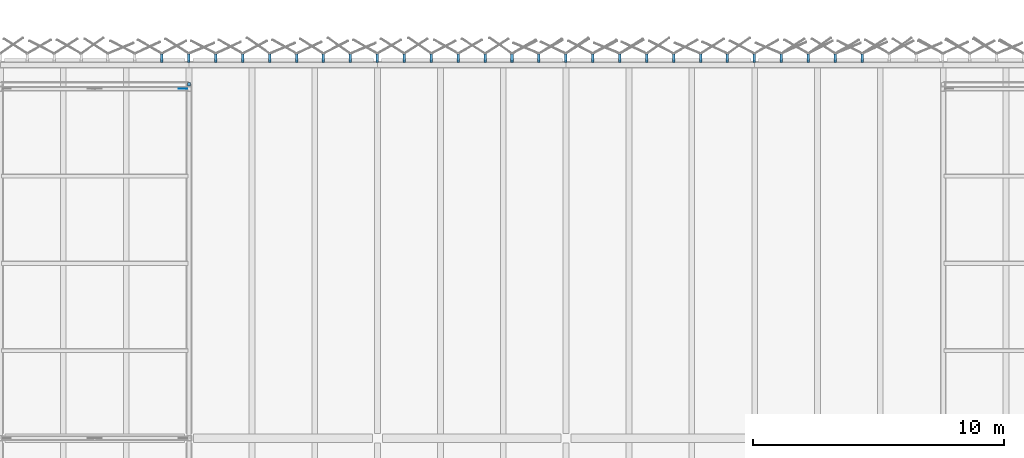
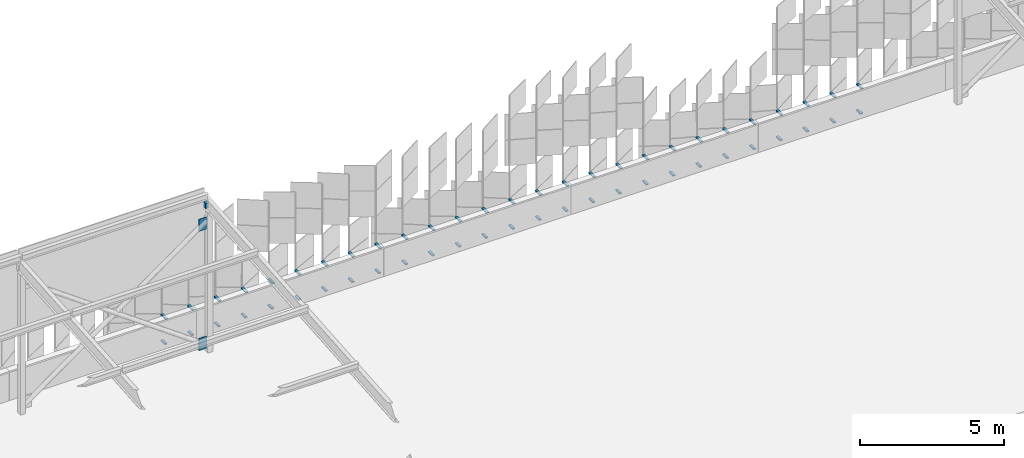
# One storey, part 453 of 483: 57 discrete accessories.
"""IFC4 building model written with IfcOpenShell, lengths in metres."""

from ifc_helpers import new_model, si_unit, direction, frame, origin, origin_2d, place, context, subcontext, project, spatial, polyline, rectangle, outline, extrude, material, layer, layer_set, type_object, element, save


model = new_model("IFC4")

# Units and contexts
model_context = context("Model", 3, precision=1e-05, world=origin(), true_north=direction((0.0, 1.0)))
body_context = subcontext(model_context, "Body", "Model", "MODEL_VIEW")
ifc_project = project(units=[si_unit("LENGTHUNIT", "METRE"), si_unit("AREAUNIT", "SQUARE_METRE"), si_unit("VOLUMEUNIT", "CUBIC_METRE"), si_unit("PLANEANGLEUNIT", "RADIAN"), si_unit("MASSUNIT", "GRAM", prefix="KILO")], contexts=[model_context])

# Site, building, storey
site_placement = place(None, origin())
site = spatial("IfcSite", under=ifc_project, at=site_placement, CompositionType="ELEMENT")
building_placement = place(site_placement, origin())
building = spatial("IfcBuilding", under=site, at=building_placement, Name="Parallax Yard Mobility Hub", CompositionType="ELEMENT")
storey_placement = place(building_placement, frame((0.0, 0.0, 13.199951171875)))
storey = spatial("IfcBuildingStorey", under=building, at=storey_placement, Name="L04", CompositionType="ELEMENT", Elevation=13.199951171875)

# Discrete accessories
ifc_material_1 = material(Name="Steel ASTM A36", Category="steel")
ifc_layer = layer(ifc_material_1, 0.011962890625)
ifc_layer_set = layer_set([ifc_layer], Name="Gusset plate PL12")
discrete_accessory_type_1 = type_object("IfcDiscreteAccessoryType", Name="Gusset plate PL12", PredefinedType="BRACKET", material=ifc_layer_set)
discrete_accessory_1_placement = place(storey_placement, frame((0.0, 0.0, 5.196533203125)))
element("IfcDiscreteAccessory", 1, at=discrete_accessory_1_placement, inside=storey, type_object=discrete_accessory_type_1, Name="Gusset plate PL12 RC bay N-A bay 4 head on post N-A5", PredefinedType="BRACKET", context=body_context, shape_type="SweptSolid", body=[
    extrude(outline(polyline([(59.91845703125, 141.406005859375), (59.598388671875, 141.406005859375), (59.598388671875, 141.39404296875), (59.91845703125, 141.39404296875), (59.91845703125, 141.406005859375)])), origin(), (0.0, 0.0, 1.0), 0.515625),
])
discrete_accessory_2_placement = place(storey_placement, frame((0.0, 0.0, 0.150146484375)))
element("IfcDiscreteAccessory", 2, at=discrete_accessory_2_placement, inside=storey, type_object=discrete_accessory_type_1, Name="Gusset plate PL12 RC bay N-A bay 4 foot on post N-A5", PredefinedType="BRACKET", context=body_context, shape_type="SweptSolid", body=[
    extrude(outline(polyline([(59.91845703125, 141.406005859375), (59.598388671875, 141.406005859375), (59.598388671875, 141.39404296875), (59.91845703125, 141.39404296875), (59.91845703125, 141.406005859375)])), origin(), (0.0, 0.0, 1.0), 0.515380859375),
])
ifc_material_2 = material(Name="Steel ASTM A36, hot-dip galvanised", Category="steel")
discrete_accessory_type_2 = type_object("IfcDiscreteAccessoryType", Name="Hinge bracket plate 100x50", PredefinedType="BRACKET", material=ifc_material_2)
discrete_accessory_3_placement = place(storey_placement, frame((86.77734375, 142.6416015625, -0.02490234375), z_axis=(0.0, 0.0, 1.0), x_axis=(0.0, 1.0, 0.0)))
element("IfcDiscreteAccessory", 3, at=discrete_accessory_3_placement, inside=storey, type_object=discrete_accessory_type_2, Name="Hinge bracket plate bay 62.4 level L04", PredefinedType="BRACKET", context=body_context, shape_type="SweptSolid", body=[
    extrude(rectangle(XDim=0.2841796875, YDim=0.10009765625, at=origin_2d()), origin(), (0.0, 0.0, 1.0), 0.050048828125),
])
discrete_accessory_4_placement = place(storey_placement, frame((86.77734375, 142.61865234375, 1.06982421875), z_axis=(0.0, 0.0, 1.0), x_axis=(0.0, 1.0, 0.0)))
element("IfcDiscreteAccessory", 4, at=discrete_accessory_4_placement, inside=storey, type_object=discrete_accessory_type_2, Name="Hinge bracket plate bay 62.4 level L04", PredefinedType="BRACKET", context=body_context, shape_type="SweptSolid", body=[
    extrude(rectangle(XDim=0.330078125, YDim=0.10009765625, at=origin_2d()), origin(), (0.0, 0.0, 1.0), 0.050048828125),
])
discrete_accessory_5_placement = place(storey_placement, frame((85.705810546875, 142.6416015625, -0.02490234375), z_axis=(0.0, 0.0, 1.0), x_axis=(0.0, 1.0, 0.0)))
element("IfcDiscreteAccessory", 5, at=discrete_accessory_5_placement, inside=storey, type_object=discrete_accessory_type_2, Name="Hinge bracket plate bay 62.5 level L04", PredefinedType="BRACKET", context=body_context, shape_type="SweptSolid", body=[
    extrude(rectangle(XDim=0.2841796875, YDim=0.10009765625, at=origin_2d()), origin(), (0.0, 0.0, 1.0), 0.050048828125),
])
discrete_accessory_6_placement = place(storey_placement, frame((85.705810546875, 142.61865234375, 1.06982421875), z_axis=(0.0, 0.0, 1.0), x_axis=(0.0, 1.0, 0.0)))
element("IfcDiscreteAccessory", 6, at=discrete_accessory_6_placement, inside=storey, type_object=discrete_accessory_type_2, Name="Hinge bracket plate bay 62.5 level L04", PredefinedType="BRACKET", context=body_context, shape_type="SweptSolid", body=[
    extrude(rectangle(XDim=0.330078125, YDim=0.10009765625, at=origin_2d()), origin(), (0.0, 0.0, 1.0), 0.050048828125),
])
discrete_accessory_7_placement = place(storey_placement, frame((84.63427734375, 142.6416015625, -0.02490234375), z_axis=(0.0, 0.0, 1.0), x_axis=(0.0, 1.0, 0.0)))
element("IfcDiscreteAccessory", 7, at=discrete_accessory_7_placement, inside=storey, type_object=discrete_accessory_type_2, Name="Hinge bracket plate bay 62.6 level L04", PredefinedType="BRACKET", context=body_context, shape_type="SweptSolid", body=[
    extrude(rectangle(XDim=0.2841796875, YDim=0.10009765625, at=origin_2d()), origin(), (0.0, 0.0, 1.0), 0.050048828125),
])
discrete_accessory_8_placement = place(storey_placement, frame((84.63427734375, 142.61865234375, 1.06982421875), z_axis=(0.0, 0.0, 1.0), x_axis=(0.0, 1.0, 0.0)))
element("IfcDiscreteAccessory", 8, at=discrete_accessory_8_placement, inside=storey, type_object=discrete_accessory_type_2, Name="Hinge bracket plate bay 62.6 level L04", PredefinedType="BRACKET", context=body_context, shape_type="SweptSolid", body=[
    extrude(rectangle(XDim=0.330078125, YDim=0.10009765625, at=origin_2d()), origin(), (0.0, 0.0, 1.0), 0.050048828125),
])
discrete_accessory_9_placement = place(storey_placement, frame((83.562744140625, 142.6416015625, -0.02490234375), z_axis=(0.0, 0.0, 1.0), x_axis=(0.0, 1.0, 0.0)))
element("IfcDiscreteAccessory", 9, at=discrete_accessory_9_placement, inside=storey, type_object=discrete_accessory_type_2, Name="Hinge bracket plate bay 62.7 level L04", PredefinedType="BRACKET", context=body_context, shape_type="SweptSolid", body=[
    extrude(rectangle(XDim=0.2841796875, YDim=0.10009765625, at=origin_2d()), origin(), (0.0, 0.0, 1.0), 0.050048828125),
])
discrete_accessory_10_placement = place(storey_placement, frame((83.562744140625, 142.61865234375, 1.06982421875), z_axis=(0.0, 0.0, 1.0), x_axis=(0.0, 1.0, 0.0)))
element("IfcDiscreteAccessory", 10, at=discrete_accessory_10_placement, inside=storey, type_object=discrete_accessory_type_2, Name="Hinge bracket plate bay 62.7 level L04", PredefinedType="BRACKET", context=body_context, shape_type="SweptSolid", body=[
    extrude(rectangle(XDim=0.330078125, YDim=0.10009765625, at=origin_2d()), origin(), (0.0, 0.0, 1.0), 0.050048828125),
])
discrete_accessory_11_placement = place(storey_placement, frame((82.4912109375, 142.6416015625, -0.02490234375), z_axis=(0.0, 0.0, 1.0), x_axis=(0.0, 1.0, 0.0)))
element("IfcDiscreteAccessory", 11, at=discrete_accessory_11_placement, inside=storey, type_object=discrete_accessory_type_2, Name="Hinge bracket plate bay 63.1 level L04", PredefinedType="BRACKET", context=body_context, shape_type="SweptSolid", body=[
    extrude(rectangle(XDim=0.2841796875, YDim=0.10009765625, at=origin_2d()), origin(), (0.0, 0.0, 1.0), 0.050048828125),
])
discrete_accessory_12_placement = place(storey_placement, frame((82.4912109375, 142.61865234375, 1.06982421875), z_axis=(0.0, 0.0, 1.0), x_axis=(0.0, 1.0, 0.0)))
element("IfcDiscreteAccessory", 12, at=discrete_accessory_12_placement, inside=storey, type_object=discrete_accessory_type_2, Name="Hinge bracket plate bay 63.1 level L04", PredefinedType="BRACKET", context=body_context, shape_type="SweptSolid", body=[
    extrude(rectangle(XDim=0.330078125, YDim=0.10009765625, at=origin_2d()), origin(), (0.0, 0.0, 1.0), 0.050048828125),
])
discrete_accessory_13_placement = place(storey_placement, frame((81.419677734375, 142.6416015625, -0.02490234375), z_axis=(0.0, 0.0, 1.0), x_axis=(0.0, 1.0, 0.0)))
element("IfcDiscreteAccessory", 13, at=discrete_accessory_13_placement, inside=storey, type_object=discrete_accessory_type_2, Name="Hinge bracket plate bay 63.2 level L04", PredefinedType="BRACKET", context=body_context, shape_type="SweptSolid", body=[
    extrude(rectangle(XDim=0.2841796875, YDim=0.10009765625, at=origin_2d()), origin(), (0.0, 0.0, 1.0), 0.050048828125),
])
discrete_accessory_14_placement = place(storey_placement, frame((81.419677734375, 142.61865234375, 1.06982421875), z_axis=(0.0, 0.0, 1.0), x_axis=(0.0, 1.0, 0.0)))
element("IfcDiscreteAccessory", 14, at=discrete_accessory_14_placement, inside=storey, type_object=discrete_accessory_type_2, Name="Hinge bracket plate bay 63.2 level L04", PredefinedType="BRACKET", context=body_context, shape_type="SweptSolid", body=[
    extrude(rectangle(XDim=0.330078125, YDim=0.10009765625, at=origin_2d()), origin(), (0.0, 0.0, 1.0), 0.050048828125),
])
discrete_accessory_15_placement = place(storey_placement, frame((80.34814453125, 142.6416015625, -0.02490234375), z_axis=(0.0, 0.0, 1.0), x_axis=(0.0, 1.0, 0.0)))
element("IfcDiscreteAccessory", 15, at=discrete_accessory_15_placement, inside=storey, type_object=discrete_accessory_type_2, Name="Hinge bracket plate bay 63.3 level L04", PredefinedType="BRACKET", context=body_context, shape_type="SweptSolid", body=[
    extrude(rectangle(XDim=0.2841796875, YDim=0.10009765625, at=origin_2d()), origin(), (0.0, 0.0, 1.0), 0.050048828125),
])
discrete_accessory_16_placement = place(storey_placement, frame((80.34814453125, 142.61865234375, 1.06982421875), z_axis=(0.0, 0.0, 1.0), x_axis=(0.0, 1.0, 0.0)))
element("IfcDiscreteAccessory", 16, at=discrete_accessory_16_placement, inside=storey, type_object=discrete_accessory_type_2, Name="Hinge bracket plate bay 63.3 level L04", PredefinedType="BRACKET", context=body_context, shape_type="SweptSolid", body=[
    extrude(rectangle(XDim=0.330078125, YDim=0.10009765625, at=origin_2d()), origin(), (0.0, 0.0, 1.0), 0.050048828125),
])
discrete_accessory_17_placement = place(storey_placement, frame((79.276611328125, 142.6416015625, -0.02490234375), z_axis=(0.0, 0.0, 1.0), x_axis=(0.0, 1.0, 0.0)))
element("IfcDiscreteAccessory", 17, at=discrete_accessory_17_placement, inside=storey, type_object=discrete_accessory_type_2, Name="Hinge bracket plate bay 63.4 level L04", PredefinedType="BRACKET", context=body_context, shape_type="SweptSolid", body=[
    extrude(rectangle(XDim=0.2841796875, YDim=0.10009765625, at=origin_2d()), origin(), (0.0, 0.0, 1.0), 0.050048828125),
])
discrete_accessory_18_placement = place(storey_placement, frame((79.276611328125, 142.61865234375, 1.06982421875), z_axis=(0.0, 0.0, 1.0), x_axis=(0.0, 1.0, 0.0)))
element("IfcDiscreteAccessory", 18, at=discrete_accessory_18_placement, inside=storey, type_object=discrete_accessory_type_2, Name="Hinge bracket plate bay 63.4 level L04", PredefinedType="BRACKET", context=body_context, shape_type="SweptSolid", body=[
    extrude(rectangle(XDim=0.330078125, YDim=0.10009765625, at=origin_2d()), origin(), (0.0, 0.0, 1.0), 0.050048828125),
])
discrete_accessory_19_placement = place(storey_placement, frame((78.205078125, 142.6416015625, -0.02490234375), z_axis=(0.0, 0.0, 1.0), x_axis=(0.0, 1.0, 0.0)))
element("IfcDiscreteAccessory", 19, at=discrete_accessory_19_placement, inside=storey, type_object=discrete_accessory_type_2, Name="Hinge bracket plate bay 63.5 level L04", PredefinedType="BRACKET", context=body_context, shape_type="SweptSolid", body=[
    extrude(rectangle(XDim=0.2841796875, YDim=0.10009765625, at=origin_2d()), origin(), (0.0, 0.0, 1.0), 0.050048828125),
])
discrete_accessory_20_placement = place(storey_placement, frame((78.205078125, 142.61865234375, 1.06982421875), z_axis=(0.0, 0.0, 1.0), x_axis=(0.0, 1.0, 0.0)))
element("IfcDiscreteAccessory", 20, at=discrete_accessory_20_placement, inside=storey, type_object=discrete_accessory_type_2, Name="Hinge bracket plate bay 63.5 level L04", PredefinedType="BRACKET", context=body_context, shape_type="SweptSolid", body=[
    extrude(rectangle(XDim=0.330078125, YDim=0.10009765625, at=origin_2d()), origin(), (0.0, 0.0, 1.0), 0.050048828125),
])
discrete_accessory_21_placement = place(storey_placement, frame((77.13330078125, 142.6416015625, -0.02490234375), z_axis=(0.0, 0.0, 1.0), x_axis=(0.0, 1.0, 0.0)))
element("IfcDiscreteAccessory", 21, at=discrete_accessory_21_placement, inside=storey, type_object=discrete_accessory_type_2, Name="Hinge bracket plate bay 63.6 level L04", PredefinedType="BRACKET", context=body_context, shape_type="SweptSolid", body=[
    extrude(rectangle(XDim=0.2841796875, YDim=0.10009765625, at=origin_2d()), origin(), (0.0, 0.0, 1.0), 0.050048828125),
])
discrete_accessory_22_placement = place(storey_placement, frame((77.13330078125, 142.61865234375, 1.06982421875), z_axis=(0.0, 0.0, 1.0), x_axis=(0.0, 1.0, 0.0)))
element("IfcDiscreteAccessory", 22, at=discrete_accessory_22_placement, inside=storey, type_object=discrete_accessory_type_2, Name="Hinge bracket plate bay 63.6 level L04", PredefinedType="BRACKET", context=body_context, shape_type="SweptSolid", body=[
    extrude(rectangle(XDim=0.330078125, YDim=0.10009765625, at=origin_2d()), origin(), (0.0, 0.0, 1.0), 0.050048828125),
])
discrete_accessory_23_placement = place(storey_placement, frame((76.06201171875, 142.6416015625, -0.02490234375), z_axis=(0.0, 0.0, 1.0), x_axis=(0.0, 1.0, 0.0)))
element("IfcDiscreteAccessory", 23, at=discrete_accessory_23_placement, inside=storey, type_object=discrete_accessory_type_2, Name="Hinge bracket plate bay 63.7 level L04", PredefinedType="BRACKET", context=body_context, shape_type="SweptSolid", body=[
    extrude(rectangle(XDim=0.2841796875, YDim=0.10009765625, at=origin_2d()), origin(), (0.0, 0.0, 1.0), 0.050048828125),
])
discrete_accessory_24_placement = place(storey_placement, frame((76.06201171875, 142.61865234375, 1.06982421875), z_axis=(0.0, 0.0, 1.0), x_axis=(0.0, 1.0, 0.0)))
element("IfcDiscreteAccessory", 24, at=discrete_accessory_24_placement, inside=storey, type_object=discrete_accessory_type_2, Name="Hinge bracket plate bay 63.7 level L04", PredefinedType="BRACKET", context=body_context, shape_type="SweptSolid", body=[
    extrude(rectangle(XDim=0.330078125, YDim=0.10009765625, at=origin_2d()), origin(), (0.0, 0.0, 1.0), 0.050048828125),
])
discrete_accessory_25_placement = place(storey_placement, frame((74.990234375, 142.6416015625, -0.02490234375), z_axis=(0.0, 0.0, 1.0), x_axis=(0.0, 1.0, 0.0)))
element("IfcDiscreteAccessory", 25, at=discrete_accessory_25_placement, inside=storey, type_object=discrete_accessory_type_2, Name="Hinge bracket plate bay 64.1 level L04", PredefinedType="BRACKET", context=body_context, shape_type="SweptSolid", body=[
    extrude(rectangle(XDim=0.2841796875, YDim=0.10009765625, at=origin_2d()), origin(), (0.0, 0.0, 1.0), 0.050048828125),
])
discrete_accessory_26_placement = place(storey_placement, frame((74.990234375, 142.61865234375, 1.06982421875), z_axis=(0.0, 0.0, 1.0), x_axis=(0.0, 1.0, 0.0)))
element("IfcDiscreteAccessory", 26, at=discrete_accessory_26_placement, inside=storey, type_object=discrete_accessory_type_2, Name="Hinge bracket plate bay 64.1 level L04", PredefinedType="BRACKET", context=body_context, shape_type="SweptSolid", body=[
    extrude(rectangle(XDim=0.330078125, YDim=0.10009765625, at=origin_2d()), origin(), (0.0, 0.0, 1.0), 0.050048828125),
])
discrete_accessory_27_placement = place(storey_placement, frame((73.918701171875, 142.6416015625, -0.02490234375), z_axis=(0.0, 0.0, 1.0), x_axis=(0.0, 1.0, 0.0)))
element("IfcDiscreteAccessory", 27, at=discrete_accessory_27_placement, inside=storey, type_object=discrete_accessory_type_2, Name="Hinge bracket plate bay 64.2 level L04", PredefinedType="BRACKET", context=body_context, shape_type="SweptSolid", body=[
    extrude(rectangle(XDim=0.2841796875, YDim=0.10009765625, at=origin_2d()), origin(), (0.0, 0.0, 1.0), 0.050048828125),
])
discrete_accessory_28_placement = place(storey_placement, frame((73.918701171875, 142.61865234375, 1.06982421875), z_axis=(0.0, 0.0, 1.0), x_axis=(0.0, 1.0, 0.0)))
element("IfcDiscreteAccessory", 28, at=discrete_accessory_28_placement, inside=storey, type_object=discrete_accessory_type_2, Name="Hinge bracket plate bay 64.2 level L04", PredefinedType="BRACKET", context=body_context, shape_type="SweptSolid", body=[
    extrude(rectangle(XDim=0.330078125, YDim=0.10009765625, at=origin_2d()), origin(), (0.0, 0.0, 1.0), 0.050048828125),
])
discrete_accessory_29_placement = place(storey_placement, frame((72.84716796875, 142.6416015625, -0.02490234375), z_axis=(0.0, 0.0, 1.0), x_axis=(0.0, 1.0, 0.0)))
element("IfcDiscreteAccessory", 29, at=discrete_accessory_29_placement, inside=storey, type_object=discrete_accessory_type_2, Name="Hinge bracket plate bay 64.3 level L04", PredefinedType="BRACKET", context=body_context, shape_type="SweptSolid", body=[
    extrude(rectangle(XDim=0.2841796875, YDim=0.10009765625, at=origin_2d()), origin(), (0.0, 0.0, 1.0), 0.050048828125),
])
discrete_accessory_30_placement = place(storey_placement, frame((72.84716796875, 142.61865234375, 1.06982421875), z_axis=(0.0, 0.0, 1.0), x_axis=(0.0, 1.0, 0.0)))
element("IfcDiscreteAccessory", 30, at=discrete_accessory_30_placement, inside=storey, type_object=discrete_accessory_type_2, Name="Hinge bracket plate bay 64.3 level L04", PredefinedType="BRACKET", context=body_context, shape_type="SweptSolid", body=[
    extrude(rectangle(XDim=0.330078125, YDim=0.10009765625, at=origin_2d()), origin(), (0.0, 0.0, 1.0), 0.050048828125),
])
discrete_accessory_31_placement = place(storey_placement, frame((71.775634765625, 142.6416015625, -0.02490234375), z_axis=(0.0, 0.0, 1.0), x_axis=(0.0, 1.0, 0.0)))
element("IfcDiscreteAccessory", 31, at=discrete_accessory_31_placement, inside=storey, type_object=discrete_accessory_type_2, Name="Hinge bracket plate bay 64.4 level L04", PredefinedType="BRACKET", context=body_context, shape_type="SweptSolid", body=[
    extrude(rectangle(XDim=0.2841796875, YDim=0.10009765625, at=origin_2d()), origin(), (0.0, 0.0, 1.0), 0.050048828125),
])
discrete_accessory_32_placement = place(storey_placement, frame((71.775634765625, 142.61865234375, 1.06982421875), z_axis=(0.0, 0.0, 1.0), x_axis=(0.0, 1.0, 0.0)))
element("IfcDiscreteAccessory", 32, at=discrete_accessory_32_placement, inside=storey, type_object=discrete_accessory_type_2, Name="Hinge bracket plate bay 64.4 level L04", PredefinedType="BRACKET", context=body_context, shape_type="SweptSolid", body=[
    extrude(rectangle(XDim=0.330078125, YDim=0.10009765625, at=origin_2d()), origin(), (0.0, 0.0, 1.0), 0.050048828125),
])
discrete_accessory_33_placement = place(storey_placement, frame((70.7041015625, 142.6416015625, -0.02490234375), z_axis=(0.0, 0.0, 1.0), x_axis=(0.0, 1.0, 0.0)))
element("IfcDiscreteAccessory", 33, at=discrete_accessory_33_placement, inside=storey, type_object=discrete_accessory_type_2, Name="Hinge bracket plate bay 64.5 level L04", PredefinedType="BRACKET", context=body_context, shape_type="SweptSolid", body=[
    extrude(rectangle(XDim=0.2841796875, YDim=0.10009765625, at=origin_2d()), origin(), (0.0, 0.0, 1.0), 0.050048828125),
])
discrete_accessory_34_placement = place(storey_placement, frame((70.7041015625, 142.61865234375, 1.06982421875), z_axis=(0.0, 0.0, 1.0), x_axis=(0.0, 1.0, 0.0)))
element("IfcDiscreteAccessory", 34, at=discrete_accessory_34_placement, inside=storey, type_object=discrete_accessory_type_2, Name="Hinge bracket plate bay 64.5 level L04", PredefinedType="BRACKET", context=body_context, shape_type="SweptSolid", body=[
    extrude(rectangle(XDim=0.330078125, YDim=0.10009765625, at=origin_2d()), origin(), (0.0, 0.0, 1.0), 0.050048828125),
])
discrete_accessory_35_placement = place(storey_placement, frame((69.632568359375, 142.6416015625, -0.02490234375), z_axis=(0.0, 0.0, 1.0), x_axis=(0.0, 1.0, 0.0)))
element("IfcDiscreteAccessory", 35, at=discrete_accessory_35_placement, inside=storey, type_object=discrete_accessory_type_2, Name="Hinge bracket plate bay 64.6 level L04", PredefinedType="BRACKET", context=body_context, shape_type="SweptSolid", body=[
    extrude(rectangle(XDim=0.2841796875, YDim=0.10009765625, at=origin_2d()), origin(), (0.0, 0.0, 1.0), 0.050048828125),
])
discrete_accessory_36_placement = place(storey_placement, frame((69.632568359375, 142.61865234375, 1.06982421875), z_axis=(0.0, 0.0, 1.0), x_axis=(0.0, 1.0, 0.0)))
element("IfcDiscreteAccessory", 36, at=discrete_accessory_36_placement, inside=storey, type_object=discrete_accessory_type_2, Name="Hinge bracket plate bay 64.6 level L04", PredefinedType="BRACKET", context=body_context, shape_type="SweptSolid", body=[
    extrude(rectangle(XDim=0.330078125, YDim=0.10009765625, at=origin_2d()), origin(), (0.0, 0.0, 1.0), 0.050048828125),
])
discrete_accessory_37_placement = place(storey_placement, frame((68.56103515625, 142.6416015625, -0.02490234375), z_axis=(0.0, 0.0, 1.0), x_axis=(0.0, 1.0, 0.0)))
element("IfcDiscreteAccessory", 37, at=discrete_accessory_37_placement, inside=storey, type_object=discrete_accessory_type_2, Name="Hinge bracket plate bay 64.7 level L04", PredefinedType="BRACKET", context=body_context, shape_type="SweptSolid", body=[
    extrude(rectangle(XDim=0.2841796875, YDim=0.10009765625, at=origin_2d()), origin(), (0.0, 0.0, 1.0), 0.050048828125),
])
discrete_accessory_38_placement = place(storey_placement, frame((68.56103515625, 142.61865234375, 1.06982421875), z_axis=(0.0, 0.0, 1.0), x_axis=(0.0, 1.0, 0.0)))
element("IfcDiscreteAccessory", 38, at=discrete_accessory_38_placement, inside=storey, type_object=discrete_accessory_type_2, Name="Hinge bracket plate bay 64.7 level L04", PredefinedType="BRACKET", context=body_context, shape_type="SweptSolid", body=[
    extrude(rectangle(XDim=0.330078125, YDim=0.10009765625, at=origin_2d()), origin(), (0.0, 0.0, 1.0), 0.050048828125),
])
discrete_accessory_39_placement = place(storey_placement, frame((67.489501953125, 142.6416015625, -0.02490234375), z_axis=(0.0, 0.0, 1.0), x_axis=(0.0, 1.0, 0.0)))
element("IfcDiscreteAccessory", 39, at=discrete_accessory_39_placement, inside=storey, type_object=discrete_accessory_type_2, Name="Hinge bracket plate bay 65.1 level L04", PredefinedType="BRACKET", context=body_context, shape_type="SweptSolid", body=[
    extrude(rectangle(XDim=0.2841796875, YDim=0.10009765625, at=origin_2d()), origin(), (0.0, 0.0, 1.0), 0.050048828125),
])
discrete_accessory_40_placement = place(storey_placement, frame((67.489501953125, 142.61865234375, 1.06982421875), z_axis=(0.0, 0.0, 1.0), x_axis=(0.0, 1.0, 0.0)))
element("IfcDiscreteAccessory", 40, at=discrete_accessory_40_placement, inside=storey, type_object=discrete_accessory_type_2, Name="Hinge bracket plate bay 65.1 level L04", PredefinedType="BRACKET", context=body_context, shape_type="SweptSolid", body=[
    extrude(rectangle(XDim=0.330078125, YDim=0.10009765625, at=origin_2d()), origin(), (0.0, 0.0, 1.0), 0.050048828125),
])
discrete_accessory_41_placement = place(storey_placement, frame((66.41796875, 142.6416015625, -0.02490234375), z_axis=(0.0, 0.0, 1.0), x_axis=(0.0, 1.0, 0.0)))
element("IfcDiscreteAccessory", 41, at=discrete_accessory_41_placement, inside=storey, type_object=discrete_accessory_type_2, Name="Hinge bracket plate bay 65.2 level L04", PredefinedType="BRACKET", context=body_context, shape_type="SweptSolid", body=[
    extrude(rectangle(XDim=0.2841796875, YDim=0.10009765625, at=origin_2d()), origin(), (0.0, 0.0, 1.0), 0.050048828125),
])
discrete_accessory_42_placement = place(storey_placement, frame((66.41796875, 142.61865234375, 1.06982421875), z_axis=(0.0, 0.0, 1.0), x_axis=(0.0, 1.0, 0.0)))
element("IfcDiscreteAccessory", 42, at=discrete_accessory_42_placement, inside=storey, type_object=discrete_accessory_type_2, Name="Hinge bracket plate bay 65.2 level L04", PredefinedType="BRACKET", context=body_context, shape_type="SweptSolid", body=[
    extrude(rectangle(XDim=0.330078125, YDim=0.10009765625, at=origin_2d()), origin(), (0.0, 0.0, 1.0), 0.050048828125),
])
discrete_accessory_43_placement = place(storey_placement, frame((65.34619140625, 142.6416015625, -0.02490234375), z_axis=(0.0, 0.0, 1.0), x_axis=(0.0, 1.0, 0.0)))
element("IfcDiscreteAccessory", 43, at=discrete_accessory_43_placement, inside=storey, type_object=discrete_accessory_type_2, Name="Hinge bracket plate bay 65.3 level L04", PredefinedType="BRACKET", context=body_context, shape_type="SweptSolid", body=[
    extrude(rectangle(XDim=0.2841796875, YDim=0.10009765625, at=origin_2d()), origin(), (0.0, 0.0, 1.0), 0.050048828125),
])
discrete_accessory_44_placement = place(storey_placement, frame((65.34619140625, 142.61865234375, 1.06982421875), z_axis=(0.0, 0.0, 1.0), x_axis=(0.0, 1.0, 0.0)))
element("IfcDiscreteAccessory", 44, at=discrete_accessory_44_placement, inside=storey, type_object=discrete_accessory_type_2, Name="Hinge bracket plate bay 65.3 level L04", PredefinedType="BRACKET", context=body_context, shape_type="SweptSolid", body=[
    extrude(rectangle(XDim=0.330078125, YDim=0.10009765625, at=origin_2d()), origin(), (0.0, 0.0, 1.0), 0.050048828125),
])
discrete_accessory_45_placement = place(storey_placement, frame((64.27490234375, 142.6416015625, -0.02490234375), z_axis=(0.0, 0.0, 1.0), x_axis=(0.0, 1.0, 0.0)))
element("IfcDiscreteAccessory", 45, at=discrete_accessory_45_placement, inside=storey, type_object=discrete_accessory_type_2, Name="Hinge bracket plate bay 65.4 level L04", PredefinedType="BRACKET", context=body_context, shape_type="SweptSolid", body=[
    extrude(rectangle(XDim=0.2841796875, YDim=0.10009765625, at=origin_2d()), origin(), (0.0, 0.0, 1.0), 0.050048828125),
])
discrete_accessory_46_placement = place(storey_placement, frame((64.27490234375, 142.61865234375, 1.06982421875), z_axis=(0.0, 0.0, 1.0), x_axis=(0.0, 1.0, 0.0)))
element("IfcDiscreteAccessory", 46, at=discrete_accessory_46_placement, inside=storey, type_object=discrete_accessory_type_2, Name="Hinge bracket plate bay 65.4 level L04", PredefinedType="BRACKET", context=body_context, shape_type="SweptSolid", body=[
    extrude(rectangle(XDim=0.330078125, YDim=0.10009765625, at=origin_2d()), origin(), (0.0, 0.0, 1.0), 0.050048828125),
])
discrete_accessory_47_placement = place(storey_placement, frame((63.203125, 142.6416015625, -0.02490234375), z_axis=(0.0, 0.0, 1.0), x_axis=(0.0, 1.0, 0.0)))
element("IfcDiscreteAccessory", 47, at=discrete_accessory_47_placement, inside=storey, type_object=discrete_accessory_type_2, Name="Hinge bracket plate bay 65.5 level L04", PredefinedType="BRACKET", context=body_context, shape_type="SweptSolid", body=[
    extrude(rectangle(XDim=0.2841796875, YDim=0.10009765625, at=origin_2d()), origin(), (0.0, 0.0, 1.0), 0.050048828125),
])
discrete_accessory_48_placement = place(storey_placement, frame((63.203125, 142.61865234375, 1.06982421875), z_axis=(0.0, 0.0, 1.0), x_axis=(0.0, 1.0, 0.0)))
element("IfcDiscreteAccessory", 48, at=discrete_accessory_48_placement, inside=storey, type_object=discrete_accessory_type_2, Name="Hinge bracket plate bay 65.5 level L04", PredefinedType="BRACKET", context=body_context, shape_type="SweptSolid", body=[
    extrude(rectangle(XDim=0.330078125, YDim=0.10009765625, at=origin_2d()), origin(), (0.0, 0.0, 1.0), 0.050048828125),
])
discrete_accessory_49_placement = place(storey_placement, frame((62.131591796875, 142.6416015625, -0.02490234375), z_axis=(0.0, 0.0, 1.0), x_axis=(0.0, 1.0, 0.0)))
element("IfcDiscreteAccessory", 49, at=discrete_accessory_49_placement, inside=storey, type_object=discrete_accessory_type_2, Name="Hinge bracket plate bay 65.6 level L04", PredefinedType="BRACKET", context=body_context, shape_type="SweptSolid", body=[
    extrude(rectangle(XDim=0.2841796875, YDim=0.10009765625, at=origin_2d()), origin(), (0.0, 0.0, 1.0), 0.050048828125),
])
discrete_accessory_50_placement = place(storey_placement, frame((62.131591796875, 142.61865234375, 1.06982421875), z_axis=(0.0, 0.0, 1.0), x_axis=(0.0, 1.0, 0.0)))
element("IfcDiscreteAccessory", 50, at=discrete_accessory_50_placement, inside=storey, type_object=discrete_accessory_type_2, Name="Hinge bracket plate bay 65.6 level L04", PredefinedType="BRACKET", context=body_context, shape_type="SweptSolid", body=[
    extrude(rectangle(XDim=0.330078125, YDim=0.10009765625, at=origin_2d()), origin(), (0.0, 0.0, 1.0), 0.050048828125),
])
discrete_accessory_51_placement = place(storey_placement, frame((61.06005859375, 142.6416015625, -0.02490234375), z_axis=(0.0, 0.0, 1.0), x_axis=(0.0, 1.0, 0.0)))
element("IfcDiscreteAccessory", 51, at=discrete_accessory_51_placement, inside=storey, type_object=discrete_accessory_type_2, Name="Hinge bracket plate bay 65.7 level L04", PredefinedType="BRACKET", context=body_context, shape_type="SweptSolid", body=[
    extrude(rectangle(XDim=0.2841796875, YDim=0.10009765625, at=origin_2d()), origin(), (0.0, 0.0, 1.0), 0.050048828125),
])
discrete_accessory_52_placement = place(storey_placement, frame((61.06005859375, 142.61865234375, 1.06982421875), z_axis=(0.0, 0.0, 1.0), x_axis=(0.0, 1.0, 0.0)))
element("IfcDiscreteAccessory", 52, at=discrete_accessory_52_placement, inside=storey, type_object=discrete_accessory_type_2, Name="Hinge bracket plate bay 65.7 level L04", PredefinedType="BRACKET", context=body_context, shape_type="SweptSolid", body=[
    extrude(rectangle(XDim=0.330078125, YDim=0.10009765625, at=origin_2d()), origin(), (0.0, 0.0, 1.0), 0.050048828125),
])
discrete_accessory_53_placement = place(storey_placement, frame((59.988525390625, 142.6416015625, -0.02490234375), z_axis=(0.0, 0.0, 1.0), x_axis=(0.0, 1.0, 0.0)))
element("IfcDiscreteAccessory", 53, at=discrete_accessory_53_placement, inside=storey, type_object=discrete_accessory_type_2, Name="Hinge bracket plate bay 66.1 level L04", PredefinedType="BRACKET", context=body_context, shape_type="SweptSolid", body=[
    extrude(rectangle(XDim=0.2841796875, YDim=0.10009765625, at=origin_2d()), origin(), (0.0, 0.0, 1.0), 0.050048828125),
])
discrete_accessory_54_placement = place(storey_placement, frame((59.988525390625, 142.61865234375, 1.06982421875), z_axis=(0.0, 0.0, 1.0), x_axis=(0.0, 1.0, 0.0)))
element("IfcDiscreteAccessory", 54, at=discrete_accessory_54_placement, inside=storey, type_object=discrete_accessory_type_2, Name="Hinge bracket plate bay 66.1 level L04", PredefinedType="BRACKET", context=body_context, shape_type="SweptSolid", body=[
    extrude(rectangle(XDim=0.330078125, YDim=0.10009765625, at=origin_2d()), origin(), (0.0, 0.0, 1.0), 0.050048828125),
])
discrete_accessory_55_placement = place(storey_placement, frame((58.9169921875, 142.6416015625, -0.02490234375), z_axis=(0.0, 0.0, 1.0), x_axis=(0.0, 1.0, 0.0)))
element("IfcDiscreteAccessory", 55, at=discrete_accessory_55_placement, inside=storey, type_object=discrete_accessory_type_2, Name="Hinge bracket plate bay 66.2 level L04", PredefinedType="BRACKET", context=body_context, shape_type="SweptSolid", body=[
    extrude(rectangle(XDim=0.2841796875, YDim=0.10009765625, at=origin_2d()), origin(), (0.0, 0.0, 1.0), 0.050048828125),
])
discrete_accessory_56_placement = place(storey_placement, frame((58.9169921875, 142.61865234375, 1.06982421875), z_axis=(0.0, 0.0, 1.0), x_axis=(0.0, 1.0, 0.0)))
element("IfcDiscreteAccessory", 56, at=discrete_accessory_56_placement, inside=storey, type_object=discrete_accessory_type_2, Name="Hinge bracket plate bay 66.2 level L04", PredefinedType="BRACKET", context=body_context, shape_type="SweptSolid", body=[
    extrude(rectangle(XDim=0.330078125, YDim=0.10009765625, at=origin_2d()), origin(), (0.0, 0.0, 1.0), 0.050048828125),
])
discrete_accessory_type_3 = type_object("IfcDiscreteAccessoryType", Name="Valance bracket plate", PredefinedType="BRACKET", material=ifc_material_2)
discrete_accessory_57_placement = place(storey_placement, frame((60.0, 141.590087890625, 5.961181640625), z_axis=(0.0, 0.0, 1.0), x_axis=(0.0, 1.0, 0.0)))
element("IfcDiscreteAccessory", 57, at=discrete_accessory_57_placement, inside=storey, type_object=discrete_accessory_type_3, Name="Valance bracket plate N-A5", PredefinedType="BRACKET", context=body_context, shape_type="SweptSolid", body=[
    extrude(rectangle(XDim=0.139892578125, YDim=0.1201171875, at=origin_2d()), origin(), (0.0, 0.0, 1.0), 0.22998046875),
])

save(model, "model.ifc")
